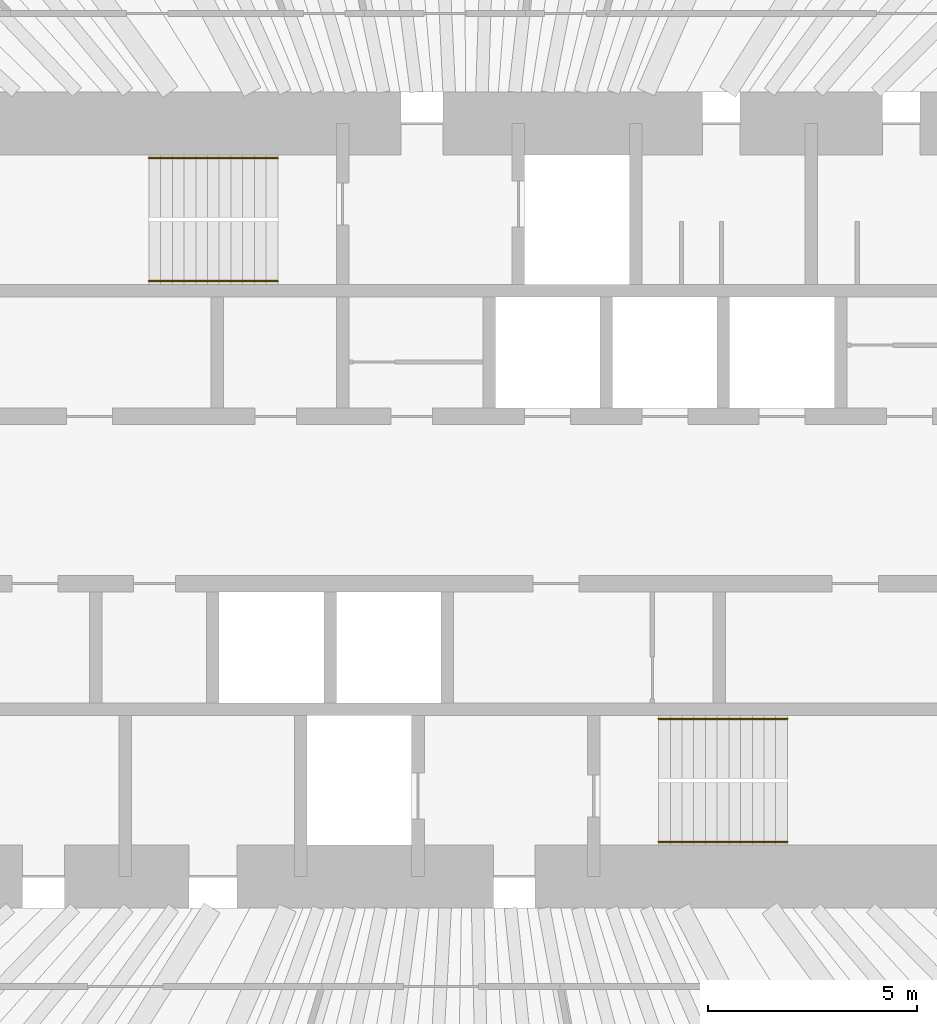
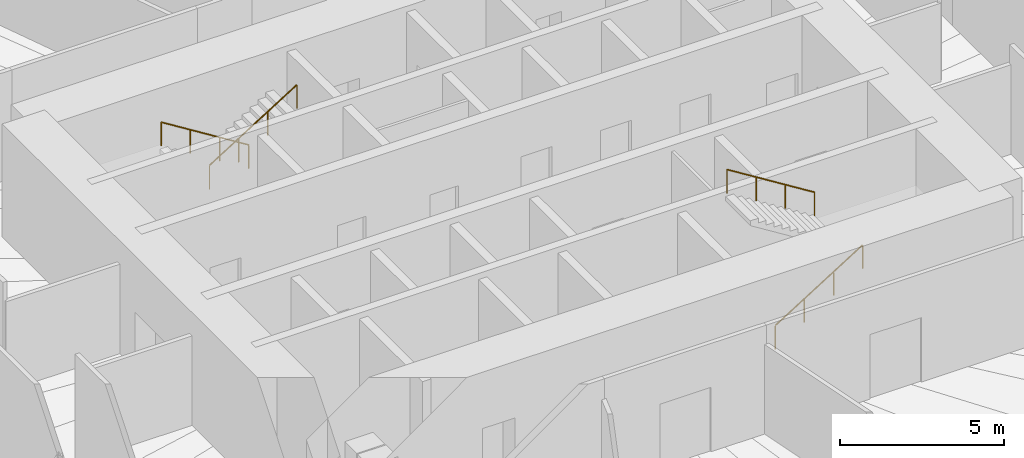
# One storey, part 13 of 13: 4 railings.
"""IFC4 building model written with IfcOpenShell, lengths in metres."""

from ifc_helpers import new_model, si_unit, direction, frame, origin, origin_2d, place, context, subcontext, project, spatial, circle, extrude, material, type_object, element, save


model = new_model("IFC4")

# Units and contexts
model_context = context("Model", 3, precision=1e-05, world=origin(), true_north=direction((0.0, 1.0)))
body_context = subcontext(model_context, "Body", "Model", "MODEL_VIEW")
ifc_project = project(units=[si_unit("LENGTHUNIT", "METRE"), si_unit("AREAUNIT", "SQUARE_METRE"), si_unit("VOLUMEUNIT", "CUBIC_METRE"), si_unit("PLANEANGLEUNIT", "RADIAN"), si_unit("MASSUNIT", "GRAM", prefix="KILO")], contexts=[model_context])

# Site, building, storey
site_placement = place(None, origin())
site = spatial("IfcSite", under=ifc_project, at=site_placement, CompositionType="ELEMENT")
building_placement = place(site_placement, origin())
building = spatial("IfcBuilding", under=site, at=building_placement, Name="Qingtian Harvest Tower", CompositionType="ELEMENT")
storey_placement = place(building_placement, frame((0.0, 0.0, 132.39990234375)))
storey = spatial("IfcBuildingStorey", under=building, at=storey_placement, Name="L27", CompositionType="ELEMENT", Elevation=132.39990234375)

# Railings
ifc_material = material(Name="Stainless steel handrail", Category="steel")
railing_type = type_object("IfcRailingType", Name="Handrail HR1", PredefinedType="HANDRAIL", material=ifc_material)
railing_1_placement = place(storey_placement, frame((-4.550048828125, 8.169921875, 0.175048828125)))
element("IfcRailing", 1, at=railing_1_placement, inside=storey, type_object=railing_type, Name="Handrail HR1 S1 flight 1", PredefinedType="HANDRAIL", context=body_context, shape_type="SweptSolid", body=[
    extrude(circle(Radius=0.02392578125, at=origin_2d()), frame((0.0, 0.0, 0.8759765625), z_axis=(-0.847979421464, 0.0, 0.530029150871), x_axis=(0.0, -1.0, 0.0)), (0.0, 0.0, 1.0), 3.632080078125),
    extrude(circle(Radius=0.02099609375, at=origin_2d()), origin(), (0.0, 0.0, 1.0), 0.851806640625),
    extrude(circle(Radius=0.02099609375, at=origin_2d()), frame((-1.026611328125, 0.0, 0.6416015625)), (0.0, 0.0, 1.0), 0.851806640625),
    extrude(circle(Radius=0.02099609375, at=origin_2d()), frame((-2.05322265625, 0.0, 1.283447265625)), (0.0, 0.0, 1.0), 0.851806640625),
    extrude(circle(Radius=0.02099609375, at=origin_2d()), frame((-3.079833984375, 0.0, 1.925048828125)), (0.0, 0.0, 1.0), 0.851806640625),
])
for number, where, name in (
    (2, (-7.6298828125, 5.22998046875, 2.275146484375), "Handrail HR1 S1 flight 2"),
    (3, (4.550048828125, -8.169921875, 0.175048828125), "Handrail HR1 S2 flight 1"),
):
    element("IfcRailing", number, at=place(storey_placement, frame(where)), inside=storey, type_object=railing_type, Name=name, PredefinedType="HANDRAIL", context=body_context, shape_type="SweptSolid", body=[
        extrude(circle(Radius=0.02392578125, at=origin_2d()), frame((0.0, 0.0, 0.8759765625), z_axis=(0.847979421464, 0.0, 0.530029150871), x_axis=(0.0, 1.0, 0.0)), (0.0, 0.0, 1.0), 3.632080078125),
        extrude(circle(Radius=0.02099609375, at=origin_2d()), origin(), (0.0, 0.0, 1.0), 0.851806640625),
        extrude(circle(Radius=0.02099609375, at=origin_2d()), frame((1.026611328125, 0.0, 0.6416015625)), (0.0, 0.0, 1.0), 0.851806640625),
        extrude(circle(Radius=0.02099609375, at=origin_2d()), frame((2.05322265625, 0.0, 1.283447265625)), (0.0, 0.0, 1.0), 0.851806640625),
        extrude(circle(Radius=0.02099609375, at=origin_2d()), frame((3.079833984375, 0.0, 1.925048828125)), (0.0, 0.0, 1.0), 0.851806640625),
    ])
railing_2_placement = place(storey_placement, frame((7.6298828125, -5.22998046875, 2.275146484375)))
element("IfcRailing", 4, at=railing_2_placement, inside=storey, type_object=railing_type, Name="Handrail HR1 S2 flight 2", PredefinedType="HANDRAIL", context=body_context, shape_type="SweptSolid", body=[
    extrude(circle(Radius=0.02392578125, at=origin_2d()), frame((0.0, 0.0, 0.8759765625), z_axis=(-0.847979421464, 0.0, 0.530029150871), x_axis=(0.0, -1.0, 0.0)), (0.0, 0.0, 1.0), 3.632080078125),
    extrude(circle(Radius=0.02099609375, at=origin_2d()), origin(), (0.0, 0.0, 1.0), 0.851806640625),
    extrude(circle(Radius=0.02099609375, at=origin_2d()), frame((-1.026611328125, 0.0, 0.6416015625)), (0.0, 0.0, 1.0), 0.851806640625),
    extrude(circle(Radius=0.02099609375, at=origin_2d()), frame((-2.05322265625, 0.0, 1.283447265625)), (0.0, 0.0, 1.0), 0.851806640625),
    extrude(circle(Radius=0.02099609375, at=origin_2d()), frame((-3.079833984375, 0.0, 1.925048828125)), (0.0, 0.0, 1.0), 0.851806640625),
])

save(model, "model.ifc")
